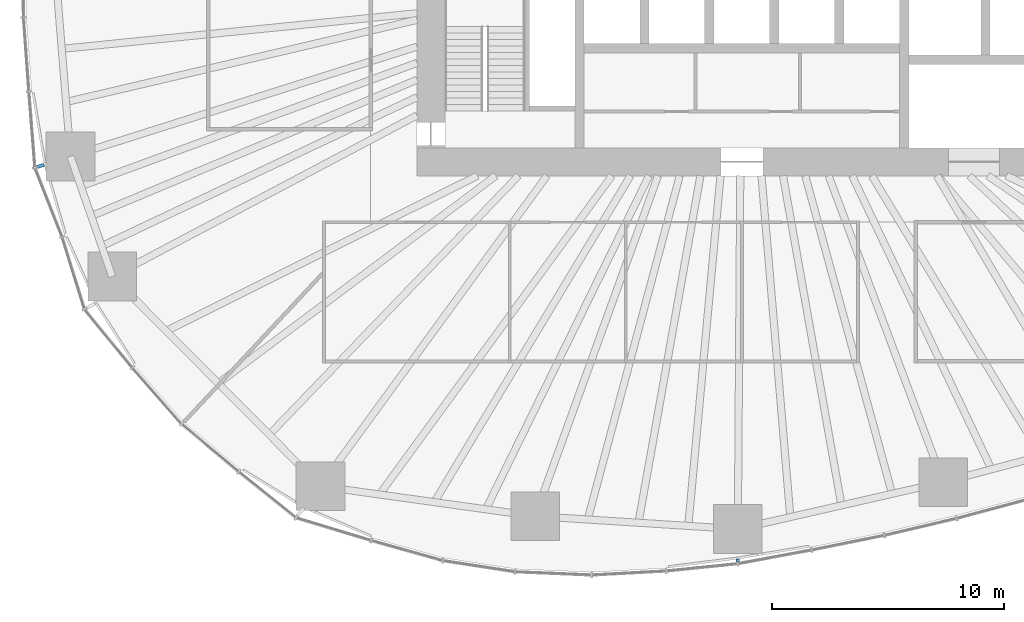
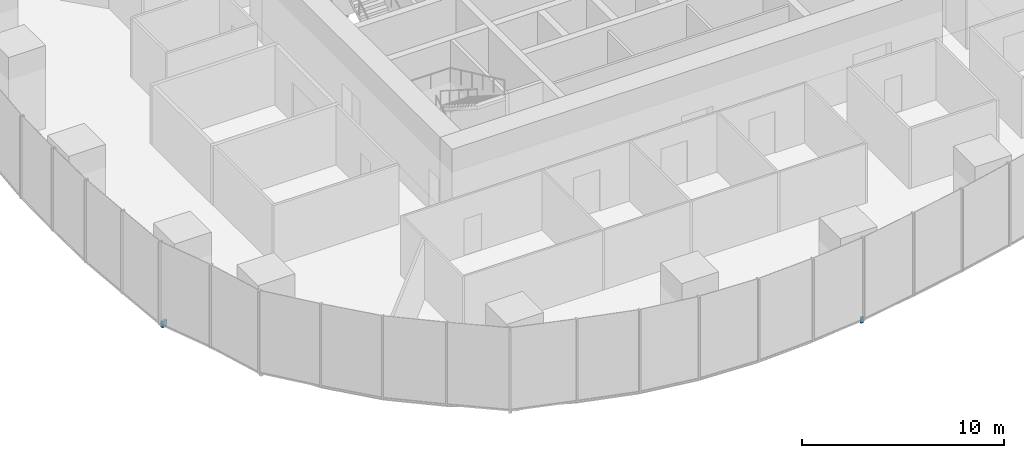
# One storey, part 13 of 20: 2 discrete accessories.
"""IFC4 building model written with IfcOpenShell, lengths in metres."""

from ifc_helpers import new_model, si_unit, direction, frame, origin, origin_2d, place, context, subcontext, project, spatial, rectangle, extrude, material, type_object, element, save


model = new_model("IFC4")

# Units and contexts
model_context = context("Model", 3, precision=1e-05, world=origin(), true_north=direction((0.0, 1.0)))
body_context = subcontext(model_context, "Body", "Model", "MODEL_VIEW")
ifc_project = project(units=[si_unit("LENGTHUNIT", "METRE"), si_unit("AREAUNIT", "SQUARE_METRE"), si_unit("VOLUMEUNIT", "CUBIC_METRE"), si_unit("PLANEANGLEUNIT", "RADIAN"), si_unit("MASSUNIT", "GRAM", prefix="KILO")], contexts=[model_context])

# Site, building, storey
site_placement = place(None, origin())
site = spatial("IfcSite", under=ifc_project, at=site_placement, CompositionType="ELEMENT")
building_placement = place(site_placement, origin())
building = spatial("IfcBuilding", under=site, at=building_placement, Name="Ghaith Harvest Tower", CompositionType="ELEMENT")
storey_placement = place(building_placement, frame((0.0, 0.0, 20.0)))
storey = spatial("IfcBuildingStorey", under=building, at=storey_placement, Name="L04", CompositionType="ELEMENT", Elevation=20.0)

# Discrete accessories
ifc_material_1 = material(Name="Stainless steel grade 1.4401", Category="steel")
discrete_accessory_type_1 = type_object("IfcDiscreteAccessoryType", Name="CURTAIN WALL BRACKET 315", PredefinedType="BRACKET", material=ifc_material_1)
discrete_accessory_1_placement = place(storey_placement, frame((-30.219482421875, -9.5771484375, -0.25), z_axis=(0.0, 0.0, 1.0), x_axis=(-0.953273219416, -0.302109531701, 0.0)))
element("IfcDiscreteAccessory", 1, at=discrete_accessory_1_placement, inside=storey, type_object=discrete_accessory_type_1, Name="CW-F bracket 1 bay 12 L04", PredefinedType="BRACKET", context=body_context, shape_type="SweptSolid", body=[
    extrude(rectangle(XDim=0.31494140625, YDim=0.14990234375, at=origin_2d()), origin(), (0.0, 0.0, 1.0), 0.35009765625),
])
ifc_material_2 = material(Name="Stainless steel grade 1.4401", Category="steel")
discrete_accessory_type_2 = type_object("IfcDiscreteAccessoryType", Name="CURTAIN WALL BRACKET 95", PredefinedType="BRACKET", material=ifc_material_2)
discrete_accessory_2_placement = place(storey_placement, frame((-0.181884765625, -26.569580078125, -0.25), z_axis=(0.0, 0.0, 1.0), x_axis=(-0.006843747957, -0.999976581283, 0.0)))
element("IfcDiscreteAccessory", 2, at=discrete_accessory_2_placement, inside=storey, type_object=discrete_accessory_type_2, Name="CW-F bracket 1 bay 16 L04", PredefinedType="BRACKET", context=body_context, shape_type="SweptSolid", body=[
    extrude(rectangle(XDim=0.094970703125, YDim=0.14990234375, at=origin_2d()), origin(), (0.0, 0.0, 1.0), 0.35009765625),
])

save(model, "model.ifc")
